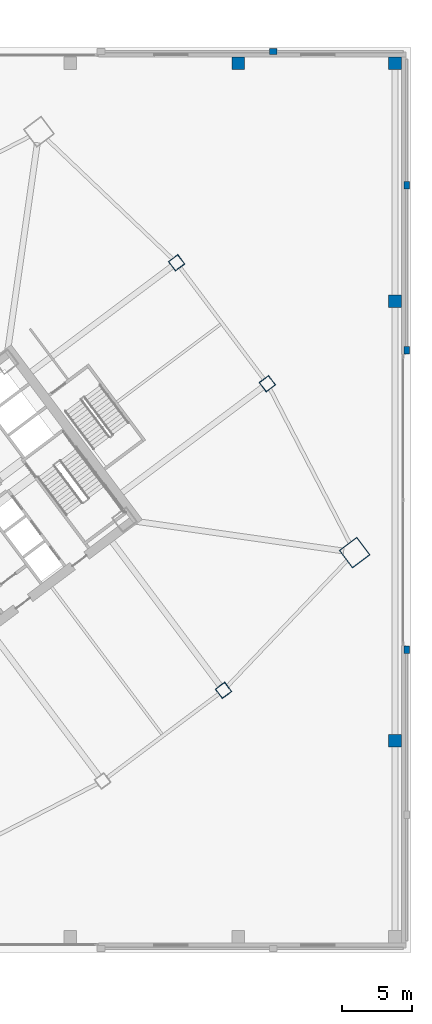
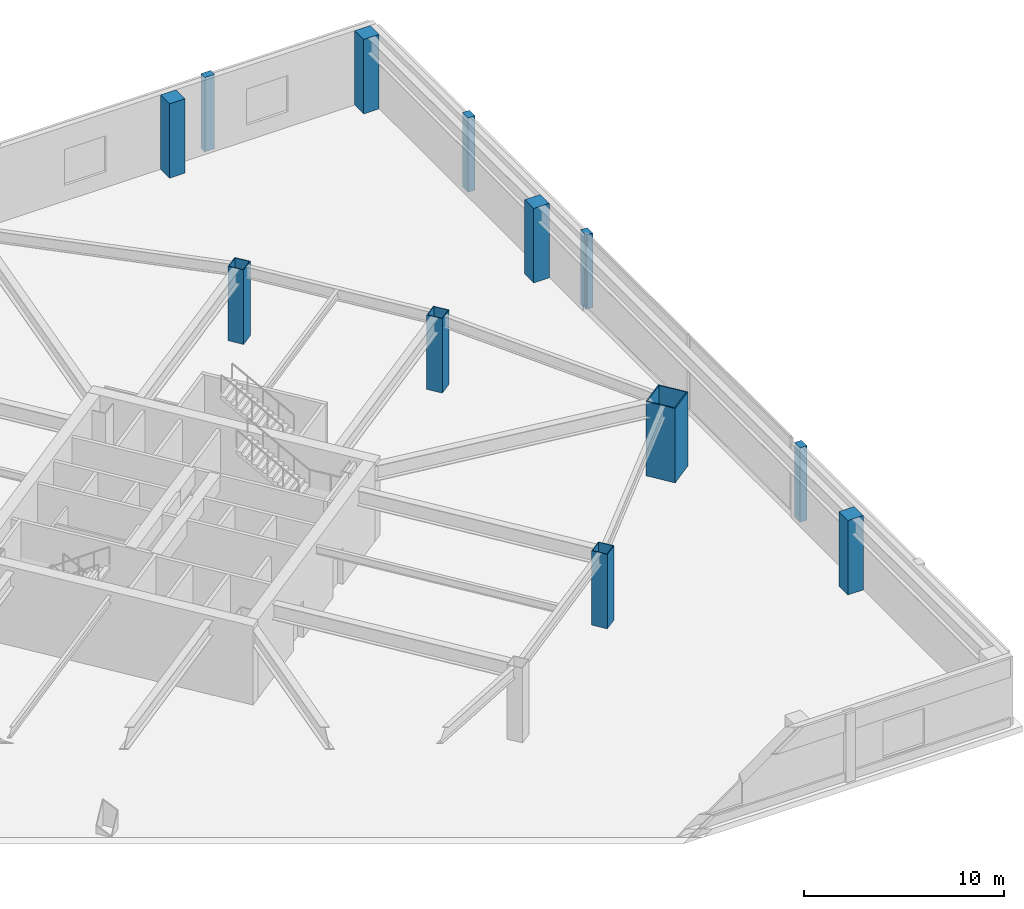
# One storey, part 4 of 44: 12 columns.
"""IFC4 building model written with IfcOpenShell, lengths in metres."""

from ifc_helpers import new_model, si_unit, direction, frame, origin, origin_2d, place, context, subcontext, project, spatial, rectangle, hollow_rectangle, extrude, material, material_profile, profile_set, type_object, element, save


model = new_model("IFC4")

# Units and contexts
model_context = context("Model", 3, precision=1e-05, world=origin(), true_north=direction((0.0, 1.0)))
body_context = subcontext(model_context, "Body", "Model", "MODEL_VIEW")
ifc_project = project(units=[si_unit("LENGTHUNIT", "METRE"), si_unit("AREAUNIT", "SQUARE_METRE"), si_unit("VOLUMEUNIT", "CUBIC_METRE"), si_unit("PLANEANGLEUNIT", "RADIAN"), si_unit("MASSUNIT", "GRAM", prefix="KILO")], contexts=[model_context])

# Site, building, storey
site_placement = place(None, origin())
site = spatial("IfcSite", under=ifc_project, at=site_placement, CompositionType="ELEMENT")
building_placement = place(site_placement, origin())
building = spatial("IfcBuilding", under=site, at=building_placement, Name="Tashvorn Skyway Center", CompositionType="ELEMENT")
storey_placement = place(building_placement, frame((0.0, 0.0, 5.39990234375)))
storey = spatial("IfcBuildingStorey", under=building, at=storey_placement, Name="L01", CompositionType="ELEMENT", Elevation=5.39990234375)

# Columns
ifc_material_1 = material(Name="Steel ASTM A572 Grade 50", Category="steel")
ifc_material_profile_1 = material_profile(ifc_material_1, hollow_rectangle(XDim=1.60009765625, YDim=1.60009765625, WallThickness=0.06005859375, at=origin_2d()), Name="BOX1600x1600x60")
ifc_profile_set_1 = profile_set([ifc_material_profile_1], Name="Steel ASTM A572 Grade 50")
column_type_1 = type_object("IfcColumnType", Name="COL-BOX1600x1600x60", PredefinedType="COLUMN", material=ifc_profile_set_1)
column_placement = place(storey_placement, frame((140.320068359375, 28.239990234375, 0.0), z_axis=(0.0, 0.0, 1.0), x_axis=(0.799999996291, 0.600000004945, 0.0)))
element("IfcColumn", 1, at=column_placement, inside=storey, type_object=column_type_1, Name="Tower 2 L01 Mega-Column MC-SE", PredefinedType="COLUMN", context=body_context, shape_type="SweptSolid", body=[
    extrude(hollow_rectangle(XDim=1.60009765625, YDim=1.60009765625, WallThickness=0.06005859375, at=origin_2d()), origin(), (0.0, 0.0, 1.0), 4.5400390625),
])
ifc_material_profile_2 = material_profile(ifc_material_1, hollow_rectangle(XDim=0.85009765625, YDim=0.85009765625, WallThickness=0.034912109375, at=origin_2d()), Name="BOX850x850x35")
ifc_profile_set_2 = profile_set([ifc_material_profile_2], Name="Steel ASTM A572 Grade 50")
column_type_2 = type_object("IfcColumnType", Name="COL-BOX850x850x35", PredefinedType="COLUMN", material=ifc_profile_set_2)
for number, where, z_axis, x_axis, name in (
    (2, (130.949951171875, 18.39990234375, 0.0), (0.0, 0.0, 1.0), (0.799999996291, 0.600000004945, 0.0), "Tower 2 L01 Perimeter Column FC-S2"),
    (3, (134.080078125, 40.31005859375, 0.0), (0.0, 0.0, 1.0), (0.799999996291, 0.600000004945, 0.0), "Tower 2 L01 Perimeter Column FC-E1"),
    (4, (127.60009765625, 48.949951171875, 0.0), (0.0, 0.0, 1.0), (0.799999996291, 0.600000004945, 0.0), "Tower 2 L01 Perimeter Column FC-E2"),
):
    element("IfcColumn", number, at=place(storey_placement, frame(where, z_axis=z_axis, x_axis=x_axis)), inside=storey, type_object=column_type_2, Name=name, PredefinedType="COLUMN", context=body_context, shape_type="SweptSolid", body=[
        extrude(hollow_rectangle(XDim=0.85009765625, YDim=0.85009765625, WallThickness=0.034912109375, at=origin_2d()), origin(), (0.0, 0.0, 1.0), 4.5400390625),
    ])
ifc_material_2 = material(Name="Concrete C50/60", Category="concrete")
ifc_material_profile_3 = material_profile(ifc_material_2, rectangle(XDim=0.89990234375, YDim=0.89990234375, at=origin_2d()), Name="RC900x900")
ifc_profile_set_3 = profile_set([ifc_material_profile_3], Name="Concrete C50/60")
column_type_3 = type_object("IfcColumnType", Name="COL-RC900x900", PredefinedType="COLUMN", material=ifc_profile_set_3)
for number, where, z_axis, x_axis, name in (
    (5, (132.0, 63.199951171875, 0.0), (0.0, 0.0, 1.0), (1.0, 0.0, 0.0), "L01 Podium Column PC-09-2"),
    (6, (143.199951171875, 63.199951171875, 0.0), (0.0, 0.0, 1.0), (1.0, 0.0, 0.0), "L01 Podium Column PC-10-2"),
    (7, (143.199951171875, 14.800048828125, 0.0), (0.0, 0.0, 1.0), (1.0, 0.0, 0.0), "L01 Podium Column PIC-06-1"),
    (8, (143.199951171875, 46.199951171875, 0.0), (0.0, 0.0, 1.0), (1.0, 0.0, 0.0), "L01 Podium Column PIC-06-2"),
):
    element("IfcColumn", number, at=place(storey_placement, frame(where, z_axis=z_axis, x_axis=x_axis)), inside=storey, type_object=column_type_3, Name=name, PredefinedType="COLUMN", context=body_context, shape_type="SweptSolid", body=[
        extrude(rectangle(XDim=0.89990234375, YDim=0.89990234375, at=origin_2d()), origin(), (0.0, 0.0, 1.0), 4.5400390625),
    ])
ifc_material_3 = material(Name="Precast concrete C40/50", Category="concrete")
ifc_material_profile_4 = material_profile(ifc_material_3, rectangle(XDim=0.550048828125, YDim=0.39990234375, at=origin_2d()), Name="RCPIL550x400")
ifc_profile_set_4 = profile_set([ifc_material_profile_4], Name="Precast concrete C40/50")
column_type_4 = type_object("IfcColumnType", Name="PIL-RCPIL550x400", PredefinedType="PILASTER", material=ifc_profile_set_4)
for number, where, z_axis, x_axis, name in (
    (9, (134.5, 64.050048828125, 0.0), (0.0, 0.0, 1.0), (1.0, 0.0, 0.0), "L01 North Terracotta Colonnade Pilaster 9"),
    (10, (144.050048828125, 21.300048828125, 0.0), (0.0, 0.0, 1.0), (0.0, 1.0, 0.0), "L01 East Terracotta Colonnade Pilaster 2"),
    (11, (144.050048828125, 42.699951171875, 0.0), (0.0, 0.0, 1.0), (0.0, 1.0, 0.0), "L01 East Terracotta Colonnade Pilaster 3"),
    (12, (144.050048828125, 54.5, 0.0), (0.0, 0.0, 1.0), (0.0, 1.0, 0.0), "L01 East Terracotta Colonnade Pilaster 4"),
):
    element("IfcColumn", number, at=place(storey_placement, frame(where, z_axis=z_axis, x_axis=x_axis)), inside=storey, type_object=column_type_4, Name=name, PredefinedType="PILASTER", context=body_context, shape_type="SweptSolid", body=[
        extrude(rectangle(XDim=0.550048828125, YDim=0.39990234375, at=origin_2d()), origin(), (0.0, 0.0, 1.0), 4.5400390625),
    ])

save(model, "model.ifc")
